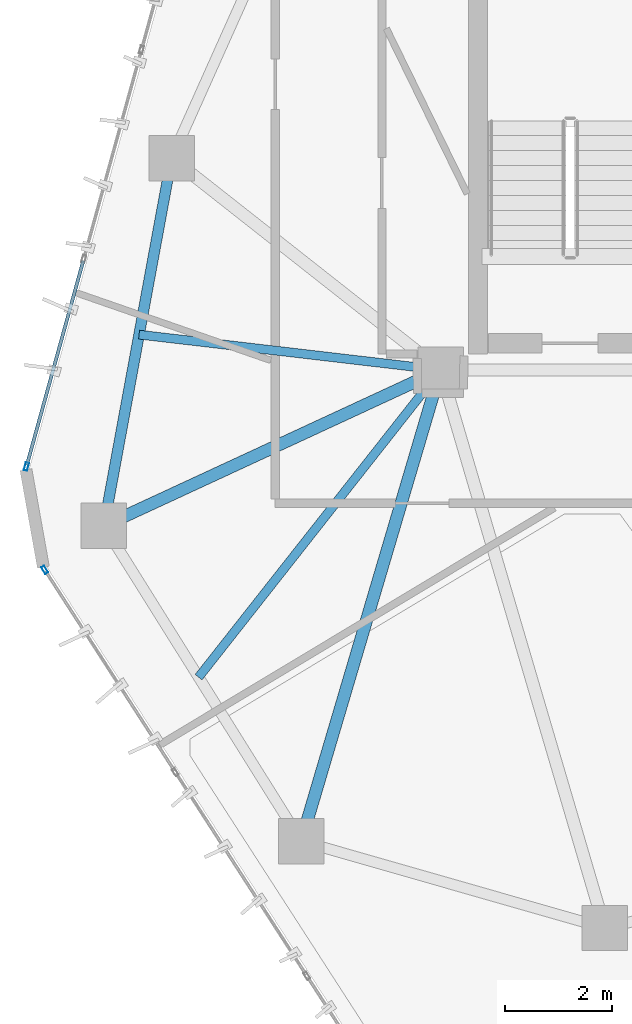
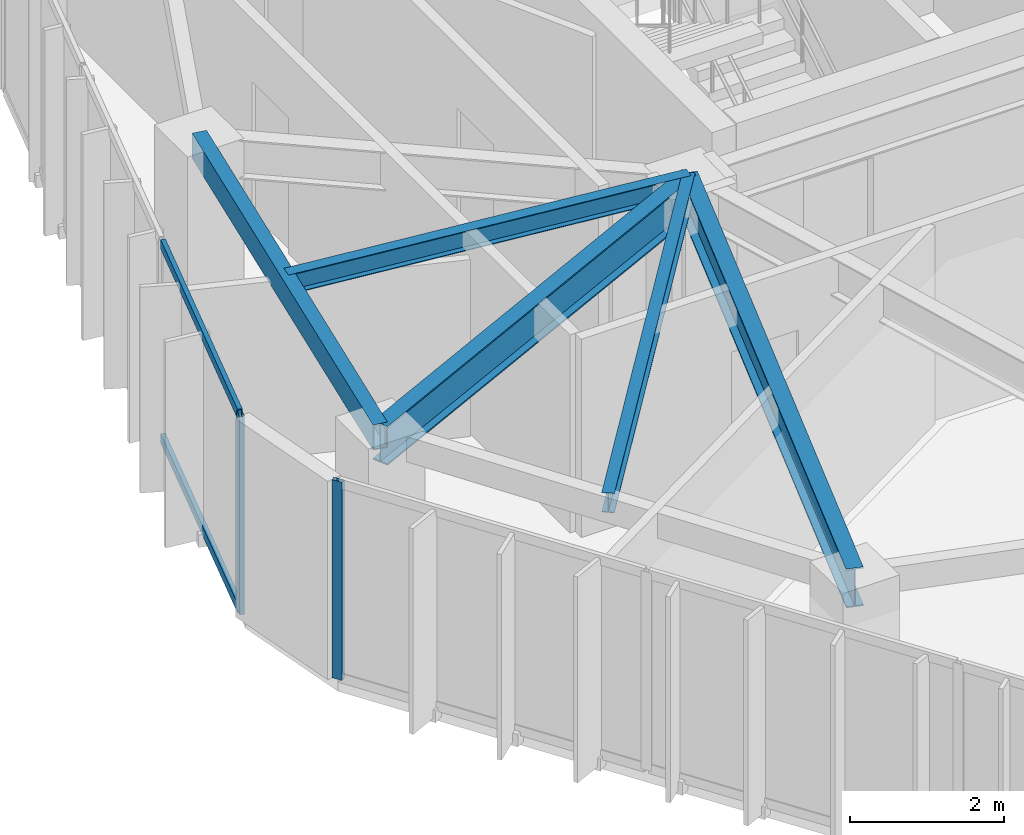
# One storey, part 4 of 20: 5 beams, 4 members, 2 elements without a shape of their own.
"""IFC4 building model written with IfcOpenShell, lengths in metres."""

from ifc_helpers import new_model, si_unit, direction, frame, origin, origin_2d, place, context, subcontext, project, spatial, hollow_rectangle, i_section, extrude, source, transform, mapped, material, layer, layer_set, material_profile, profile_set, type_object, type_shapes, element, aggregate, save


model = new_model("IFC4")

# Units and contexts
model_context = context("Model", 3, precision=1e-05, world=origin(), true_north=direction((0.0, 1.0)))
body_context = subcontext(model_context, "Body", "Model", "MODEL_VIEW")
ifc_project = project(units=[si_unit("LENGTHUNIT", "METRE"), si_unit("AREAUNIT", "SQUARE_METRE"), si_unit("VOLUMEUNIT", "CUBIC_METRE"), si_unit("PLANEANGLEUNIT", "RADIAN"), si_unit("MASSUNIT", "GRAM", prefix="KILO")], contexts=[model_context])

# Site, building, storey
site_placement = place(None, origin())
site = spatial("IfcSite", under=ifc_project, at=site_placement, CompositionType="ELEMENT")
building_placement = place(site_placement, origin())
building = spatial("IfcBuilding", under=site, at=building_placement, Name="Talar Marvaseh", CompositionType="ELEMENT")
storey_placement = place(building_placement, frame((0.0, 0.0, 254.39990234375)))
storey = spatial("IfcBuildingStorey", under=building, at=storey_placement, Name="L67", CompositionType="ELEMENT", Elevation=254.39990234375)

# Beams
ifc_material_1 = material(Name="Steel S355", Category="steel")
ifc_material_profile_1 = material_profile(ifc_material_1, hollow_rectangle(XDim=0.199951171875, YDim=0.39990234375, WallThickness=0.013916015625, at=origin_2d()), Name="RHS400x200x14")
ifc_profile_set_1 = profile_set([ifc_material_profile_1], Name="Steel S355")
beam_type_1 = type_object("IfcBeamType", Name="Zone 3 Perimeter Spandrel Beam RHS400x200x14", PredefinedType="SPANDREL", material=ifc_profile_set_1)
beam_1_placement = place(storey_placement, frame((12.388916015625, 22.576904296875, 2.940185546875), z_axis=(0.18106135948, 0.983471801377, 0.0), x_axis=(-0.983471801377, 0.18106135948, 0.0)))
element("IfcBeam", 1, at=beam_1_placement, inside=storey, type_object=beam_type_1, Name="L67 Zone 3 Perimeter Spandrel Beam RHS400x200x14", PredefinedType="SPANDREL", context=body_context, shape_type="SweptSolid", body=[
    extrude(hollow_rectangle(XDim=0.199951171875, YDim=0.39990234375, WallThickness=0.013916015625, at=origin_2d()), origin(), (0.0, 0.0, 1.0), 7.0087890625),
])
ifc_material_profile_2 = material_profile(ifc_material_1, i_section(OverallWidth=0.166015625, OverallDepth=0.31298828125, WebThickness=0.006591796875, FlangeThickness=0.01123046875, at=origin_2d()), Name="W310x45")
ifc_profile_set_2 = profile_set([ifc_material_profile_2], Name="Steel S355")
beam_type_2 = type_object("IfcBeamType", Name="Zone 3 Secondary Floor Joist W310x45", PredefinedType="JOIST", material=ifc_profile_set_2)
beam_2_placement = place(storey_placement, frame((13.048828125, 26.161376953125, 2.983642578125), z_axis=(0.993221011039, -0.116241228622, 0.0), x_axis=(0.116241228622, 0.993221011039, 0.0)))
element("IfcBeam", 2, at=beam_2_placement, inside=storey, type_object=beam_type_2, Name="L67 Zone 3 Secondary Floor Joist W310x45", PredefinedType="JOIST", context=body_context, shape_type="SweptSolid", body=[
    extrude(i_section(OverallWidth=0.166015625, OverallDepth=0.31298828125, WebThickness=0.006591796875, FlangeThickness=0.01123046875, at=origin_2d()), origin(), (0.0, 0.0, 1.0), 5.689697265625),
])
beam_3_placement = place(storey_placement, frame((14.1640625, 19.74072265625, 2.983642578125), z_axis=(0.618727137907, 0.785605962819, 0.0), x_axis=(-0.785605962819, 0.618727137907, 0.0)))
element("IfcBeam", 3, at=beam_3_placement, inside=storey, type_object=beam_type_2, Name="L67 Zone 3 Secondary Floor Joist W310x45", PredefinedType="JOIST", context=body_context, shape_type="SweptSolid", body=[
    extrude(i_section(OverallWidth=0.166015625, OverallDepth=0.31298828125, WebThickness=0.006591796875, FlangeThickness=0.01123046875, at=origin_2d()), origin(), (0.0, 0.0, 1.0), 7.3310546875),
])
ifc_material_profile_3 = material_profile(ifc_material_1, i_section(OverallWidth=0.22998046875, OverallDepth=0.616943359375, WebThickness=0.01318359375, FlangeThickness=0.022216796875, at=origin_2d()), Name="W610x140")
ifc_profile_set_3 = profile_set([ifc_material_profile_3], Name="Steel S355")
beam_type_3 = type_object("IfcBeamType", Name="Zone 4 Radial Floor Girder W610x140", PredefinedType="BEAM", material=ifc_profile_set_3)
beam_4_placement = place(storey_placement, frame((12.388916015625, 22.576904296875, 2.83154296875), z_axis=(0.907394527995, 0.420279871709, 0.0), x_axis=(-0.420279871709, 0.907394527995, 0.0)))
element("IfcBeam", 4, at=beam_4_placement, inside=storey, type_object=beam_type_3, Name="L67 Zone 4 Radial Floor Girder W610x140", PredefinedType="BEAM", context=body_context, shape_type="SweptSolid", body=[
    extrude(i_section(OverallWidth=0.22998046875, OverallDepth=0.616943359375, WebThickness=0.01318359375, FlangeThickness=0.022216796875, at=origin_2d()), origin(), (0.0, 0.0, 1.0), 6.955078125),
])
beam_5_placement = place(storey_placement, frame((16.0869140625, 16.66796875, 2.83154296875), z_axis=(0.283702937759, 0.958912218666, 0.0), x_axis=(-0.958912218666, 0.283702937759, 0.0)))
element("IfcBeam", 5, at=beam_5_placement, inside=storey, type_object=beam_type_3, Name="L67 Zone 4 Radial Floor Girder W610x140", PredefinedType="BEAM", context=body_context, shape_type="SweptSolid", body=[
    extrude(i_section(OverallWidth=0.22998046875, OverallDepth=0.616943359375, WebThickness=0.01318359375, FlangeThickness=0.022216796875, at=origin_2d()), origin(), (0.0, 0.0, 1.0), 9.21044921875),
])

# Curtain wall, member
ifc_material_2 = material(Name="Architectural Aluminium", Category="aluminium")
ifc_layer = layer(ifc_material_2, 0.179931640625)
ifc_layer_set = layer_set([ifc_layer], Name="Architectural Aluminium")
curtain_wall_type = type_object("IfcCurtainWallType", Name="Unitised High-Wind Sky Curtain Wall Z4", PredefinedType="NOTDEFINED", material=ifc_layer_set)
curtain_wall_1_placement = place(storey_placement, origin())
curtain_wall_1 = element("IfcCurtainWall", 6, at=curtain_wall_1_placement, inside=storey, type_object=curtain_wall_type, Name="L67 Unitised High-Wind Sky Curtain Wall Z4", PredefinedType="NOTDEFINED")
ifc_material_profile_4 = material_profile(ifc_material_2, hollow_rectangle(XDim=0.06494140625, YDim=0.14990234375, WallThickness=0.00390625, at=origin_2d()), Name="RHS150x65x4")
ifc_profile_set_4 = profile_set([ifc_material_profile_4], Name="Architectural Aluminium")
member_type_1 = type_object("IfcMemberType", Name="Unitised Curtain Wall Slim Mullion RHS150x65x4", PredefinedType="MULLION", material=ifc_profile_set_4)
shared_shape_1 = source(origin(), body_context, "Body", "SweptSolid", [
    extrude(hollow_rectangle(XDim=0.06494140625, YDim=0.14990234375, WallThickness=0.00390625, at=origin_2d()), origin(), (0.0, 0.0, 1.0), 3.14013671875),
])
type_shapes(member_type_1, [shared_shape_1])
member_1_placement = place(storey_placement, frame((11.2802734375, 21.75244140625, 0.0), z_axis=(0.0, 0.0, 1.0), x_axis=(-0.840128152199, -0.54238794961, 0.0)))
member_1 = element("IfcMember", 7, at=member_1_placement, type_object=member_type_1, Name="CW-Z4 mullion 4", PredefinedType="MULLION", context=body_context, shape_type="MappedRepresentation", body=[
    mapped(shared_shape_1, transform((0.0, 0.0, 0.0), x_axis=(1.0, 0.0, 0.0), y_axis=(0.0, 1.0, 0.0), z_axis=(0.0, 0.0, 1.0), scale=1.0)),
])
aggregate(curtain_wall_1, [member_1])

# Curtain wall, members
curtain_wall_2_placement = place(storey_placement, origin())
curtain_wall_2 = element("IfcCurtainWall", 8, at=curtain_wall_2_placement, inside=storey, type_object=curtain_wall_type, Name="L67 Unitised High-Wind Sky Curtain Wall Z4", PredefinedType="NOTDEFINED")
member_2_placement = place(storey_placement, frame((10.9375, 23.68701171875, 0.0), z_axis=(0.0, 0.0, 1.0), x_axis=(-0.963947775369, 0.266091499978, 0.0)))
member_2 = element("IfcMember", 9, at=member_2_placement, type_object=member_type_1, Name="CW-Z4 mullion 1", PredefinedType="MULLION", context=body_context, shape_type="MappedRepresentation", body=[
    mapped(shared_shape_1, transform((0.0, 0.0, 0.0), x_axis=(1.0, 0.0, 0.0), y_axis=(0.0, 1.0, 0.0), z_axis=(0.0, 0.0, 1.0), scale=1.0)),
])
ifc_material_profile_5 = material_profile(ifc_material_2, hollow_rectangle(XDim=0.06494140625, YDim=0.14990234375, WallThickness=0.00390625, at=origin_2d()), Name="RHS150x65x4")
ifc_profile_set_5 = profile_set([ifc_material_profile_5], Name="Architectural Aluminium")
member_type_2 = type_object("IfcMemberType", Name="Unitised Curtain Wall Slim Transom RHS150x65x4", PredefinedType="USERDEFINED", material=ifc_profile_set_5)
shared_shape_2 = source(origin(), body_context, "Body", "SweptSolid", [
    extrude(hollow_rectangle(XDim=0.06494140625, YDim=0.14990234375, WallThickness=0.00390625, at=origin_2d()), origin(), (0.0, 0.0, 1.0), 3.970947265625),
])
type_shapes(member_type_2, [shared_shape_2])
member_3_placement = place(storey_placement, frame((10.9462890625, 23.718505859375, 0.03271484375), z_axis=(0.266086601447, 0.963949127563, 0.0), x_axis=(-0.963949127563, 0.266086601447, 0.0)))
member_3 = element("IfcMember", 10, at=member_3_placement, type_object=member_type_2, Name="CW-Z4 transom 1.1", ObjectType="TRANSOM", PredefinedType="USERDEFINED", context=body_context, shape_type="MappedRepresentation", body=[
    mapped(shared_shape_2, transform((0.0, 0.0, 0.0), x_axis=(1.0, 0.0, 0.0), y_axis=(0.0, 1.0, 0.0), z_axis=(0.0, 0.0, 1.0), scale=1.0)),
])
member_4_placement = place(storey_placement, frame((10.9462890625, 23.718505859375, 3.107666015625), z_axis=(0.266086601447, 0.963949127563, 0.0), x_axis=(-0.963949127563, 0.266086601447, 0.0)))
member_4 = element("IfcMember", 11, at=member_4_placement, type_object=member_type_2, Name="CW-Z4 transom 1.2", ObjectType="TRANSOM", PredefinedType="USERDEFINED", context=body_context, shape_type="MappedRepresentation", body=[
    mapped(shared_shape_2, transform((0.0, 0.0, 0.0), x_axis=(1.0, 0.0, 0.0), y_axis=(0.0, 1.0, 0.0), z_axis=(0.0, 0.0, 1.0), scale=1.0)),
])
aggregate(curtain_wall_2, [member_2, member_3, member_4])

save(model, "model.ifc")
